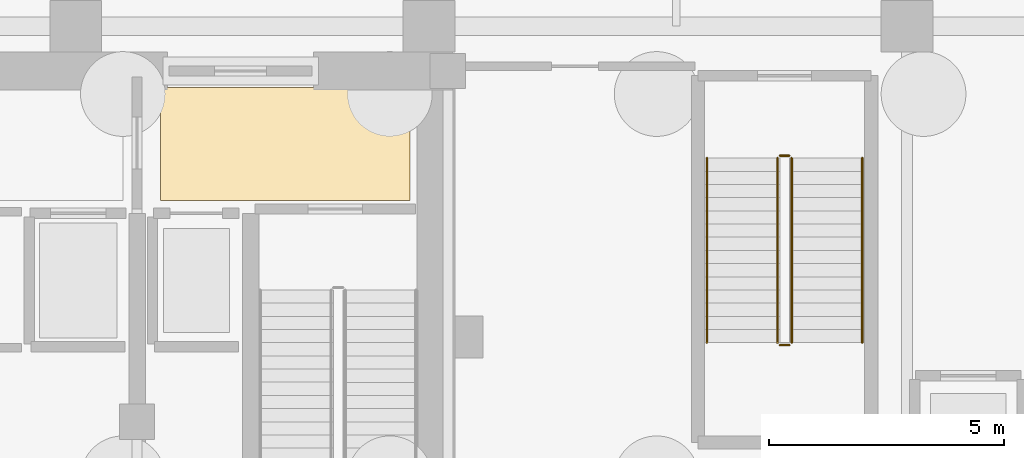
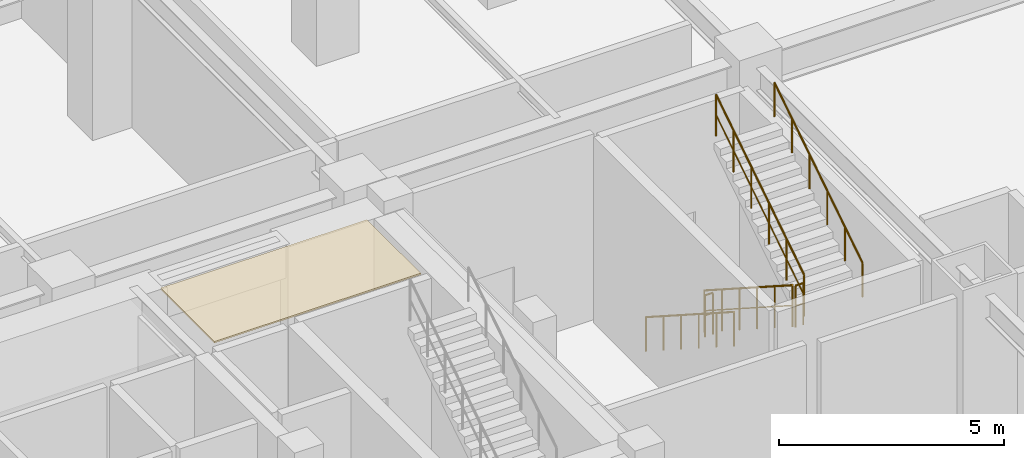
# One storey, part 9 of 10: 6 railings, 1 covering.
"""IFC4 building model written with IfcOpenShell, lengths in metres."""

from ifc_helpers import new_model, si_unit, direction, frame, origin, origin_2d, place, context, subcontext, project, spatial, polyline, circle, outline, extrude, material, layer, layer_set, type_object, element, save


model = new_model("IFC4")

# Units and contexts
model_context = context("Model", 3, precision=1e-05, world=origin(), true_north=direction((0.0, 1.0)))
body_context = subcontext(model_context, "Body", "Model", "MODEL_VIEW")
ifc_project = project(units=[si_unit("LENGTHUNIT", "METRE"), si_unit("AREAUNIT", "SQUARE_METRE"), si_unit("VOLUMEUNIT", "CUBIC_METRE"), si_unit("PLANEANGLEUNIT", "RADIAN"), si_unit("MASSUNIT", "GRAM", prefix="KILO")], contexts=[model_context])

# Site, building, storey
site_placement = place(None, origin())
site = spatial("IfcSite", under=ifc_project, at=site_placement, CompositionType="ELEMENT")
building_placement = place(site_placement, origin())
building = spatial("IfcBuilding", under=site, at=building_placement, Name="Ventersveld Concourse Tower", CompositionType="ELEMENT")
storey_placement = place(building_placement, frame((0.0, 0.0, -10.800048828125)))
storey = spatial("IfcBuildingStorey", under=building, at=storey_placement, Name="B02", CompositionType="ELEMENT", Elevation=-10.800048828125)

# Covering
ifc_material_1 = material(Name="Mineral-fibre acoustic ceiling tile", Category="gypsum")
ifc_layer = layer(ifc_material_1, 0.0400390625)
ifc_layer_set = layer_set([ifc_layer], Name="Mineral-fibre acoustic ceiling tile")
covering_type = type_object("IfcCoveringType", Name="COV-CEIL-ACOUSTIC", PredefinedType="CEILING", material=ifc_layer_set)
covering_placement = place(storey_placement, frame((0.0, 0.0, 5.010009765625)))
element("IfcCovering", 1, at=covering_placement, inside=storey, type_object=covering_type, Name="B02 East Firefighting Lobby Acoustic Ceiling", PredefinedType="CEILING", context=body_context, shape_type="SweptSolid", body=[
    extrude(outline(polyline([(38.050048828125, 8.699951171875), (43.35009765625, 8.699951171875), (43.35009765625, 11.10009765625), (38.050048828125, 11.10009765625), (38.050048828125, 8.699951171875)])), origin(), (0.0, 0.0, 1.0), 0.0400390625),
])

# Railings
ifc_material_2 = material(Name="Brushed stainless steel 316", Category="steel")
railing_type_1 = type_object("IfcRailingType", Name="GD-BAL-115", PredefinedType="GUARDRAIL", material=ifc_material_2)
railing_1_placement = place(storey_placement, frame((51.14990234375, 9.60009765625, 0.179931640625)))
element("IfcRailing", 2, at=railing_1_placement, inside=storey, type_object=railing_type_1, Name="B02 ST-05 stair guard 1", PredefinedType="GUARDRAIL", context=body_context, shape_type="SweptSolid", body=[
    extrude(circle(Radius=0.02392578125, at=origin_2d()), frame((0.0, 0.0, 1.1259765625), z_axis=(0.0, -0.841186985886, 0.540744352514), x_axis=(1.0, 0.0, 0.0)), (0.0, 0.0, 1.0), 4.660400390625),
    extrude(circle(Radius=0.01611328125, at=origin_2d()), frame((0.0, 0.0, 0.574951171875), z_axis=(0.0, -0.841186985886, 0.540744352514), x_axis=(1.0, 0.0, 0.0)), (0.0, 0.0, 1.0), 4.660400390625),
    extrude(circle(Radius=0.02099609375, at=origin_2d()), origin(), (0.0, 0.0, 1.0), 1.101806640625),
    extrude(circle(Radius=0.02099609375, at=origin_2d()), frame((0.0, -0.783935546875, 0.50390625)), (0.0, 0.0, 1.0), 1.101806640625),
    extrude(circle(Radius=0.02099609375, at=origin_2d()), frame((0.0, -1.568115234375, 1.008056640625)), (0.0, 0.0, 1.0), 1.101806640625),
    extrude(circle(Radius=0.02099609375, at=origin_2d()), frame((0.0, -2.35205078125, 1.511962890625)), (0.0, 0.0, 1.0), 1.101806640625),
    extrude(circle(Radius=0.02099609375, at=origin_2d()), frame((0.0, -3.13623046875, 2.01611328125)), (0.0, 0.0, 1.0), 1.101806640625),
    extrude(circle(Radius=0.02099609375, at=origin_2d()), frame((0.0, -3.920166015625, 2.52001953125)), (0.0, 0.0, 1.0), 1.101806640625),
])
railing_2_placement = place(storey_placement, frame((51.199951171875, 5.6298828125, 2.699951171875)))
element("IfcRailing", 3, at=railing_2_placement, inside=storey, type_object=railing_type_1, Name="B02 ST-05 stair guard 2", PredefinedType="GUARDRAIL", context=body_context, shape_type="SweptSolid", body=[
    extrude(circle(Radius=0.02392578125, at=origin_2d()), frame((0.0, 0.0, 1.1259765625), z_axis=(1.0, 0.0, 0.0), x_axis=(0.0, 1.0, 0.0)), (0.0, 0.0, 1.0), 0.199951171875),
    extrude(circle(Radius=0.01611328125, at=origin_2d()), frame((0.0, 0.0, 0.574951171875), z_axis=(1.0, 0.0, 0.0), x_axis=(0.0, 1.0, 0.0)), (0.0, 0.0, 1.0), 0.199951171875),
    extrude(circle(Radius=0.02099609375, at=origin_2d()), origin(), (0.0, 0.0, 1.0), 1.101806640625),
    extrude(circle(Radius=0.02099609375, at=origin_2d()), frame((0.199951171875, 0.0, 0.0)), (0.0, 0.0, 1.0), 1.101806640625),
])
railing_3_placement = place(storey_placement, frame((51.449951171875, 5.679931640625, 2.880126953125)))
element("IfcRailing", 4, at=railing_3_placement, inside=storey, type_object=railing_type_1, Name="B02 ST-05 stair guard 3", PredefinedType="GUARDRAIL", context=body_context, shape_type="SweptSolid", body=[
    extrude(circle(Radius=0.02392578125, at=origin_2d()), frame((0.0, 0.0, 1.1259765625), z_axis=(0.0, 0.841186985886, 0.540744352514), x_axis=(-1.0, 0.0, 0.0)), (0.0, 0.0, 1.0), 4.660400390625),
    extrude(circle(Radius=0.01611328125, at=origin_2d()), frame((0.0, 0.0, 0.574951171875), z_axis=(0.0, 0.841186985886, 0.540744352514), x_axis=(-1.0, 0.0, 0.0)), (0.0, 0.0, 1.0), 4.660400390625),
    extrude(circle(Radius=0.02099609375, at=origin_2d()), origin(), (0.0, 0.0, 1.0), 1.101806640625),
    extrude(circle(Radius=0.02099609375, at=origin_2d()), frame((0.0, 0.783935546875, 0.50390625)), (0.0, 0.0, 1.0), 1.101806640625),
    extrude(circle(Radius=0.02099609375, at=origin_2d()), frame((0.0, 1.568115234375, 1.008056640625)), (0.0, 0.0, 1.0), 1.101806640625),
    extrude(circle(Radius=0.02099609375, at=origin_2d()), frame((0.0, 2.35205078125, 1.511962890625)), (0.0, 0.0, 1.0), 1.101806640625),
    extrude(circle(Radius=0.02099609375, at=origin_2d()), frame((0.0, 3.13623046875, 2.01611328125)), (0.0, 0.0, 1.0), 1.101806640625),
    extrude(circle(Radius=0.02099609375, at=origin_2d()), frame((0.0, 3.920166015625, 2.52001953125)), (0.0, 0.0, 1.0), 1.101806640625),
])
railing_4_placement = place(storey_placement, frame((51.199951171875, 9.64990234375, 0.0)))
element("IfcRailing", 5, at=railing_4_placement, inside=storey, type_object=railing_type_1, Name="B02 ST-05 stair guard 4", PredefinedType="GUARDRAIL", context=body_context, shape_type="SweptSolid", body=[
    extrude(circle(Radius=0.02392578125, at=origin_2d()), frame((0.0, 0.0, 1.1259765625), z_axis=(1.0, 0.0, 0.0), x_axis=(0.0, 1.0, 0.0)), (0.0, 0.0, 1.0), 0.199951171875),
    extrude(circle(Radius=0.01611328125, at=origin_2d()), frame((0.0, 0.0, 0.574951171875), z_axis=(1.0, 0.0, 0.0), x_axis=(0.0, 1.0, 0.0)), (0.0, 0.0, 1.0), 0.199951171875),
    extrude(circle(Radius=0.02099609375, at=origin_2d()), origin(), (0.0, 0.0, 1.0), 1.101806640625),
    extrude(circle(Radius=0.02099609375, at=origin_2d()), frame((0.199951171875, 0.0, 0.0)), (0.0, 0.0, 1.0), 1.101806640625),
])
railing_type_2 = type_object("IfcRailingType", Name="HR-RMP-095", PredefinedType="HANDRAIL", material=ifc_material_2)
railing_5_placement = place(storey_placement, frame((49.64990234375, 9.60009765625, 0.179931640625)))
element("IfcRailing", 6, at=railing_5_placement, inside=storey, type_object=railing_type_2, Name="B02 ST-05 stair handrail 1", PredefinedType="HANDRAIL", context=body_context, shape_type="SweptSolid", body=[
    extrude(circle(Radius=0.02392578125, at=origin_2d()), frame((0.0, 0.0, 0.92578125), z_axis=(0.0, -0.841186985886, 0.540744352514), x_axis=(1.0, 0.0, 0.0)), (0.0, 0.0, 1.0), 4.660400390625),
    extrude(circle(Radius=0.02099609375, at=origin_2d()), origin(), (0.0, 0.0, 1.0), 0.90185546875),
    extrude(circle(Radius=0.02099609375, at=origin_2d()), frame((0.0, -0.783935546875, 0.50390625)), (0.0, 0.0, 1.0), 0.90185546875),
    extrude(circle(Radius=0.02099609375, at=origin_2d()), frame((0.0, -1.568115234375, 1.008056640625)), (0.0, 0.0, 1.0), 0.90185546875),
    extrude(circle(Radius=0.02099609375, at=origin_2d()), frame((0.0, -2.35205078125, 1.511962890625)), (0.0, 0.0, 1.0), 0.90185546875),
    extrude(circle(Radius=0.02099609375, at=origin_2d()), frame((0.0, -3.13623046875, 2.01611328125)), (0.0, 0.0, 1.0), 0.90185546875),
    extrude(circle(Radius=0.02099609375, at=origin_2d()), frame((0.0, -3.920166015625, 2.52001953125)), (0.0, 0.0, 1.0), 0.90185546875),
])
railing_6_placement = place(storey_placement, frame((52.949951171875, 5.679931640625, 2.880126953125)))
element("IfcRailing", 7, at=railing_6_placement, inside=storey, type_object=railing_type_2, Name="B02 ST-05 stair handrail 2", PredefinedType="HANDRAIL", context=body_context, shape_type="SweptSolid", body=[
    extrude(circle(Radius=0.02392578125, at=origin_2d()), frame((0.0, 0.0, 0.92578125), z_axis=(0.0, 0.841186985886, 0.540744352514), x_axis=(-1.0, 0.0, 0.0)), (0.0, 0.0, 1.0), 4.660400390625),
    extrude(circle(Radius=0.02099609375, at=origin_2d()), origin(), (0.0, 0.0, 1.0), 0.90185546875),
    extrude(circle(Radius=0.02099609375, at=origin_2d()), frame((0.0, 0.783935546875, 0.50390625)), (0.0, 0.0, 1.0), 0.90185546875),
    extrude(circle(Radius=0.02099609375, at=origin_2d()), frame((0.0, 1.568115234375, 1.008056640625)), (0.0, 0.0, 1.0), 0.90185546875),
    extrude(circle(Radius=0.02099609375, at=origin_2d()), frame((0.0, 2.35205078125, 1.511962890625)), (0.0, 0.0, 1.0), 0.90185546875),
    extrude(circle(Radius=0.02099609375, at=origin_2d()), frame((0.0, 3.13623046875, 2.01611328125)), (0.0, 0.0, 1.0), 0.90185546875),
    extrude(circle(Radius=0.02099609375, at=origin_2d()), frame((0.0, 3.920166015625, 2.52001953125)), (0.0, 0.0, 1.0), 0.90185546875),
])

save(model, "model.ifc")
